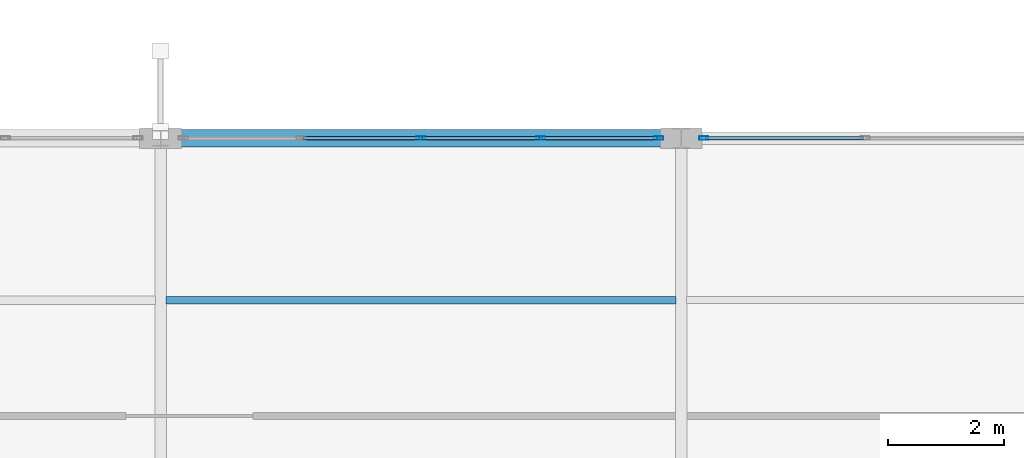
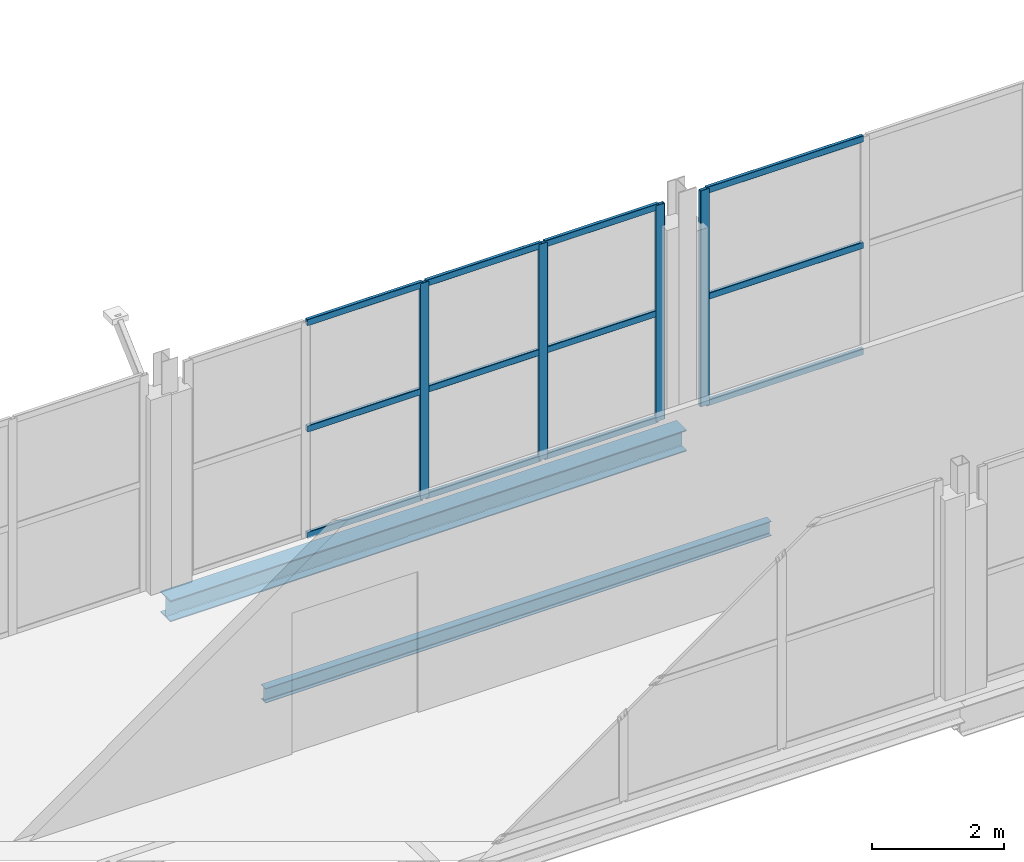
# One storey, part 61 of 101: 16 members, 2 beams, 2 elements without a shape of their own.
"""IFC4 building model written with IfcOpenShell, lengths in metres."""

from ifc_helpers import new_model, si_unit, direction, frame, origin, origin_2d, place, context, subcontext, project, spatial, hollow_rectangle, i_section, extrude, material, layer, layer_set, material_profile, profile_set, type_object, element, aggregate, save


model = new_model("IFC4")

# Units and contexts
model_context = context("Model", 3, precision=1e-05, world=origin(), true_north=direction((0.0, 1.0)))
body_context = subcontext(model_context, "Body", "Model", "MODEL_VIEW")
ifc_project = project(units=[si_unit("LENGTHUNIT", "METRE"), si_unit("AREAUNIT", "SQUARE_METRE"), si_unit("VOLUMEUNIT", "CUBIC_METRE"), si_unit("PLANEANGLEUNIT", "RADIAN"), si_unit("MASSUNIT", "GRAM", prefix="KILO")], contexts=[model_context])

# Site, building, storey
site_placement = place(None, origin())
site = spatial("IfcSite", under=ifc_project, at=site_placement, CompositionType="ELEMENT")
building_placement = place(site_placement, origin())
building = spatial("IfcBuilding", under=site, at=building_placement, Name="Vekula Escarpment Museum", CompositionType="ELEMENT")
storey_placement = place(building_placement, frame((0.0, 0.0, 18.0)))
storey = spatial("IfcBuildingStorey", under=building, at=storey_placement, Name="L04", CompositionType="ELEMENT", Elevation=18.0)

# Beams
ifc_material_1 = material(Name="Steel S355", Category="steel")
ifc_material_profile_1 = material_profile(ifc_material_1, i_section(OverallWidth=0.135009765625, OverallDepth=0.27001953125, WebThickness=0.006591796875, FlangeThickness=0.01025390625, FilletRadius=0.014892578125, at=origin_2d()), Name="IPE 270")
ifc_profile_set_1 = profile_set([ifc_material_profile_1], Name="Steel S355")
beam_type_1 = type_object("IfcBeamType", Name="BM-JST-IPE270", PredefinedType="JOIST", material=ifc_profile_set_1)
beam_1_placement = place(storey_placement, frame((146.090087890625, 73.60009765625, -0.375), z_axis=(1.0, 0.0, 0.0), x_axis=(0.0, 1.0, 0.0)))
element("IfcBeam", 1, at=beam_1_placement, inside=storey, type_object=beam_type_1, Name="Secondary Joist L04 1243", PredefinedType="JOIST", context=body_context, shape_type="SweptSolid", body=[
    extrude(i_section(OverallWidth=0.135009765625, OverallDepth=0.27001953125, WebThickness=0.006591796875, FlangeThickness=0.01025390625, FilletRadius=0.014892578125, at=origin_2d()), origin(), (0.0, 0.0, 1.0), 8.81982421875),
])
ifc_material_2 = material(Name="Steel S355", Category="steel")
ifc_material_profile_2 = material_profile(ifc_material_2, i_section(OverallWidth=0.300048828125, OverallDepth=0.389892578125, WebThickness=0.010986328125, FlangeThickness=0.01904296875, FilletRadius=0.027099609375, at=origin_2d()), Name="HEA 400")
ifc_profile_set_2 = profile_set([ifc_material_profile_2], Name="Steel S355")
beam_type_2 = type_object("IfcBeamType", Name="BM-SPAN-HEA400", PredefinedType="SPANDREL", material=ifc_profile_set_2)
beam_2_placement = place(storey_placement, frame((146.0, 76.39990234375, -0.43505859375), z_axis=(1.0, 0.0, 0.0), x_axis=(0.0, 1.0, 0.0)))
element("IfcBeam", 2, at=beam_2_placement, inside=storey, type_object=beam_type_2, Name="Beam X L04 1758", PredefinedType="SPANDREL", context=body_context, shape_type="SweptSolid", body=[
    extrude(i_section(OverallWidth=0.300048828125, OverallDepth=0.389892578125, WebThickness=0.010986328125, FlangeThickness=0.01904296875, FilletRadius=0.027099609375, at=origin_2d()), origin(), (0.0, 0.0, 1.0), 9.0),
])

# Curtain wall, member
ifc_material_3 = material(Name="Aluminium thermally broken framing", Category="aluminium")
ifc_layer_1 = layer(ifc_material_3, 0.179931640625)
ifc_layer_set_1 = layer_set([ifc_layer_1], Name="Aluminium thermally broken framing")
curtain_wall_type_1 = type_object("IfcCurtainWallType", Name="CW-SYS-08", PredefinedType="NOTDEFINED", material=ifc_layer_set_1)
curtain_wall_1_placement = place(storey_placement, origin())
curtain_wall_1 = element("IfcCurtainWall", 3, at=curtain_wall_1_placement, inside=storey, type_object=curtain_wall_type_1, Name="Curtain Wall CW-L04-148", PredefinedType="NOTDEFINED")
ifc_material_4 = material(Name="Aluminium anodized mullion", Category="aluminium")
ifc_material_profile_3 = material_profile(ifc_material_4, hollow_rectangle(XDim=0.06005859375, YDim=0.159912109375, WallThickness=0.00390625, InnerFilletRadius=0.00390625, OuterFilletRadius=0.008056640625, at=origin_2d()), Name="ALU 160x60x4")
ifc_profile_set_3 = profile_set([ifc_material_profile_3], Name="Aluminium anodized mullion")
member_type_1 = type_object("IfcMemberType", Name="CW-MUL-160", PredefinedType="MULLION", material=ifc_profile_set_3)
member_1_placement = place(storey_placement, frame((155.389892578125, 76.39990234375, 0.0), z_axis=(0.0, 0.0, 1.0), x_axis=(0.0, -1.0, 0.0)))
member_1 = element("IfcMember", 4, at=member_1_placement, type_object=member_type_1, Name="CW-08 mullion 5", PredefinedType="MULLION", context=body_context, shape_type="SweptSolid", body=[
    extrude(hollow_rectangle(XDim=0.06005859375, YDim=0.159912109375, WallThickness=0.00390625, InnerFilletRadius=0.00390625, OuterFilletRadius=0.008056640625, at=origin_2d()), origin(), (0.0, 0.0, 1.0), 3.97998046875),
])

# Curtain wall, members
ifc_material_5 = material(Name="Aluminium thermally broken framing", Category="aluminium")
ifc_layer_2 = layer(ifc_material_5, 0.14990234375)
ifc_layer_set_2 = layer_set([ifc_layer_2], Name="Aluminium thermally broken framing")
curtain_wall_type_2 = type_object("IfcCurtainWallType", Name="CW-SYS-09", PredefinedType="NOTDEFINED", material=ifc_layer_set_2)
curtain_wall_2_placement = place(storey_placement, origin())
curtain_wall_2 = element("IfcCurtainWall", 5, at=curtain_wall_2_placement, inside=storey, type_object=curtain_wall_type_2, Name="Curtain Wall CW-L04-149", PredefinedType="NOTDEFINED")
member_2_placement = place(storey_placement, frame((154.610107421875, 76.39990234375, 0.0), z_axis=(0.0, 0.0, 1.0), x_axis=(0.0, -1.0, 0.0)))
member_2 = element("IfcMember", 6, at=member_2_placement, type_object=member_type_1, Name="CW-09 mullion 1", PredefinedType="MULLION", context=body_context, shape_type="SweptSolid", body=[
    extrude(hollow_rectangle(XDim=0.06005859375, YDim=0.159912109375, WallThickness=0.00390625, InnerFilletRadius=0.00390625, OuterFilletRadius=0.008056640625, at=origin_2d()), origin(), (0.0, 0.0, 1.0), 3.97998046875),
])
member_3_placement = place(storey_placement, frame((152.570068359375, 76.39990234375, 0.0), z_axis=(0.0, 0.0, 1.0), x_axis=(0.0, -1.0, 0.0)))
member_3 = element("IfcMember", 7, at=member_3_placement, type_object=member_type_1, Name="CW-09 mullion 2", PredefinedType="MULLION", context=body_context, shape_type="SweptSolid", body=[
    extrude(hollow_rectangle(XDim=0.06005859375, YDim=0.159912109375, WallThickness=0.00390625, InnerFilletRadius=0.00390625, OuterFilletRadius=0.008056640625, at=origin_2d()), origin(), (0.0, 0.0, 1.0), 3.97998046875),
])
member_4_placement = place(storey_placement, frame((150.5, 76.39990234375, 0.0), z_axis=(0.0, 0.0, 1.0), x_axis=(0.0, -1.0, 0.0)))
member_4 = element("IfcMember", 8, at=member_4_placement, type_object=member_type_1, Name="CW-09 mullion 3", PredefinedType="MULLION", context=body_context, shape_type="SweptSolid", body=[
    extrude(hollow_rectangle(XDim=0.06005859375, YDim=0.159912109375, WallThickness=0.00390625, InnerFilletRadius=0.00390625, OuterFilletRadius=0.008056640625, at=origin_2d()), origin(), (0.0, 0.0, 1.0), 3.97998046875),
])

# Member
ifc_material_6 = material(Name="Aluminium anodized transom", Category="aluminium")
ifc_material_profile_4 = material_profile(ifc_material_6, hollow_rectangle(XDim=0.06005859375, YDim=0.1201171875, WallThickness=0.00390625, InnerFilletRadius=0.00390625, OuterFilletRadius=0.008056640625, at=origin_2d()), Name="ALU 120x60x4")
ifc_profile_set_4 = profile_set([ifc_material_profile_4], Name="Aluminium anodized transom")
member_type_2 = type_object("IfcMemberType", Name="CW-TRN-120", PredefinedType="USERDEFINED", material=ifc_profile_set_4)
member_5_placement = place(storey_placement, frame((158.14990234375, 76.39990234375, 0.030029296875), z_axis=(-1.0, 0.0, 0.0), x_axis=(0.0, -1.0, 0.0)))
member_5 = element("IfcMember", 9, at=member_5_placement, type_object=member_type_2, Name="CW-08 transom 4.1", ObjectType="TRANSOM", PredefinedType="USERDEFINED", context=body_context, shape_type="SweptSolid", body=[
    extrude(hollow_rectangle(XDim=0.06005859375, YDim=0.1201171875, WallThickness=0.00390625, InnerFilletRadius=0.00390625, OuterFilletRadius=0.008056640625, at=origin_2d()), origin(), (0.0, 0.0, 1.0), 2.72998046875),
])

member_6_placement = place(storey_placement, frame((158.14990234375, 76.39990234375, 1.989990234375), z_axis=(-1.0, 0.0, 0.0), x_axis=(0.0, -1.0, 0.0)))
member_6 = element("IfcMember", 10, at=member_6_placement, type_object=member_type_2, Name="CW-08 transom 4.2", ObjectType="TRANSOM", PredefinedType="USERDEFINED", context=body_context, shape_type="SweptSolid", body=[
    extrude(hollow_rectangle(XDim=0.06005859375, YDim=0.1201171875, WallThickness=0.00390625, InnerFilletRadius=0.00390625, OuterFilletRadius=0.008056640625, at=origin_2d()), origin(), (0.0, 0.0, 1.0), 2.72998046875),
])

member_7_placement = place(storey_placement, frame((158.14990234375, 76.39990234375, 3.949951171875), z_axis=(-1.0, 0.0, 0.0), x_axis=(0.0, -1.0, 0.0)))
member_7 = element("IfcMember", 11, at=member_7_placement, type_object=member_type_2, Name="CW-08 transom 4.3", ObjectType="TRANSOM", PredefinedType="USERDEFINED", context=body_context, shape_type="SweptSolid", body=[
    extrude(hollow_rectangle(XDim=0.06005859375, YDim=0.1201171875, WallThickness=0.00390625, InnerFilletRadius=0.00390625, OuterFilletRadius=0.008056640625, at=origin_2d()), origin(), (0.0, 0.0, 1.0), 2.72998046875),
])

aggregate(curtain_wall_1, [member_1, member_5, member_6, member_7])

member_8_placement = place(storey_placement, frame((154.580078125, 76.39990234375, 0.030029296875), z_axis=(-1.0, 0.0, 0.0), x_axis=(0.0, -1.0, 0.0)))
member_8 = element("IfcMember", 12, at=member_8_placement, type_object=member_type_2, Name="CW-09 transom 1.1", ObjectType="TRANSOM", PredefinedType="USERDEFINED", context=body_context, shape_type="SweptSolid", body=[
    extrude(hollow_rectangle(XDim=0.06005859375, YDim=0.1201171875, WallThickness=0.00390625, InnerFilletRadius=0.00390625, OuterFilletRadius=0.008056640625, at=origin_2d()), origin(), (0.0, 0.0, 1.0), 1.97998046875),
])

member_9_placement = place(storey_placement, frame((154.580078125, 76.39990234375, 1.989990234375), z_axis=(-1.0, 0.0, 0.0), x_axis=(0.0, -1.0, 0.0)))
member_9 = element("IfcMember", 13, at=member_9_placement, type_object=member_type_2, Name="CW-09 transom 1.2", ObjectType="TRANSOM", PredefinedType="USERDEFINED", context=body_context, shape_type="SweptSolid", body=[
    extrude(hollow_rectangle(XDim=0.06005859375, YDim=0.1201171875, WallThickness=0.00390625, InnerFilletRadius=0.00390625, OuterFilletRadius=0.008056640625, at=origin_2d()), origin(), (0.0, 0.0, 1.0), 1.97998046875),
])

member_10_placement = place(storey_placement, frame((154.580078125, 76.39990234375, 3.949951171875), z_axis=(-1.0, 0.0, 0.0), x_axis=(0.0, -1.0, 0.0)))
member_10 = element("IfcMember", 14, at=member_10_placement, type_object=member_type_2, Name="CW-09 transom 1.3", ObjectType="TRANSOM", PredefinedType="USERDEFINED", context=body_context, shape_type="SweptSolid", body=[
    extrude(hollow_rectangle(XDim=0.06005859375, YDim=0.1201171875, WallThickness=0.00390625, InnerFilletRadius=0.00390625, OuterFilletRadius=0.008056640625, at=origin_2d()), origin(), (0.0, 0.0, 1.0), 1.97998046875),
])

member_11_placement = place(storey_placement, frame((152.5400390625, 76.39990234375, 0.030029296875), z_axis=(-1.0, 0.0, 0.0), x_axis=(0.0, -1.0, 0.0)))
member_11 = element("IfcMember", 15, at=member_11_placement, type_object=member_type_2, Name="CW-09 transom 2.1", ObjectType="TRANSOM", PredefinedType="USERDEFINED", context=body_context, shape_type="SweptSolid", body=[
    extrude(hollow_rectangle(XDim=0.06005859375, YDim=0.1201171875, WallThickness=0.00390625, InnerFilletRadius=0.00390625, OuterFilletRadius=0.008056640625, at=origin_2d()), origin(), (0.0, 0.0, 1.0), 2.010009765625),
])

member_12_placement = place(storey_placement, frame((152.5400390625, 76.39990234375, 1.989990234375), z_axis=(-1.0, 0.0, 0.0), x_axis=(0.0, -1.0, 0.0)))
member_12 = element("IfcMember", 16, at=member_12_placement, type_object=member_type_2, Name="CW-09 transom 2.2", ObjectType="TRANSOM", PredefinedType="USERDEFINED", context=body_context, shape_type="SweptSolid", body=[
    extrude(hollow_rectangle(XDim=0.06005859375, YDim=0.1201171875, WallThickness=0.00390625, InnerFilletRadius=0.00390625, OuterFilletRadius=0.008056640625, at=origin_2d()), origin(), (0.0, 0.0, 1.0), 2.010009765625),
])

member_13_placement = place(storey_placement, frame((152.5400390625, 76.39990234375, 3.949951171875), z_axis=(-1.0, 0.0, 0.0), x_axis=(0.0, -1.0, 0.0)))
member_13 = element("IfcMember", 17, at=member_13_placement, type_object=member_type_2, Name="CW-09 transom 2.3", ObjectType="TRANSOM", PredefinedType="USERDEFINED", context=body_context, shape_type="SweptSolid", body=[
    extrude(hollow_rectangle(XDim=0.06005859375, YDim=0.1201171875, WallThickness=0.00390625, InnerFilletRadius=0.00390625, OuterFilletRadius=0.008056640625, at=origin_2d()), origin(), (0.0, 0.0, 1.0), 2.010009765625),
])

member_14_placement = place(storey_placement, frame((150.469970703125, 76.39990234375, 0.030029296875), z_axis=(-1.0, 0.0, 0.0), x_axis=(0.0, -1.0, 0.0)))
member_14 = element("IfcMember", 18, at=member_14_placement, type_object=member_type_2, Name="CW-09 transom 3.1", ObjectType="TRANSOM", PredefinedType="USERDEFINED", context=body_context, shape_type="SweptSolid", body=[
    extrude(hollow_rectangle(XDim=0.06005859375, YDim=0.1201171875, WallThickness=0.00390625, InnerFilletRadius=0.00390625, OuterFilletRadius=0.008056640625, at=origin_2d()), origin(), (0.0, 0.0, 1.0), 2.010009765625),
])

member_15_placement = place(storey_placement, frame((150.469970703125, 76.39990234375, 1.989990234375), z_axis=(-1.0, 0.0, 0.0), x_axis=(0.0, -1.0, 0.0)))
member_15 = element("IfcMember", 19, at=member_15_placement, type_object=member_type_2, Name="CW-09 transom 3.2", ObjectType="TRANSOM", PredefinedType="USERDEFINED", context=body_context, shape_type="SweptSolid", body=[
    extrude(hollow_rectangle(XDim=0.06005859375, YDim=0.1201171875, WallThickness=0.00390625, InnerFilletRadius=0.00390625, OuterFilletRadius=0.008056640625, at=origin_2d()), origin(), (0.0, 0.0, 1.0), 2.010009765625),
])

member_16_placement = place(storey_placement, frame((150.469970703125, 76.39990234375, 3.949951171875), z_axis=(-1.0, 0.0, 0.0), x_axis=(0.0, -1.0, 0.0)))
member_16 = element("IfcMember", 20, at=member_16_placement, type_object=member_type_2, Name="CW-09 transom 3.3", ObjectType="TRANSOM", PredefinedType="USERDEFINED", context=body_context, shape_type="SweptSolid", body=[
    extrude(hollow_rectangle(XDim=0.06005859375, YDim=0.1201171875, WallThickness=0.00390625, InnerFilletRadius=0.00390625, OuterFilletRadius=0.008056640625, at=origin_2d()), origin(), (0.0, 0.0, 1.0), 2.010009765625),
])

aggregate(curtain_wall_2, [member_2, member_3, member_4, member_8, member_9, member_10, member_11, member_12, member_13, member_14, member_15, member_16])

save(model, "model.ifc")
